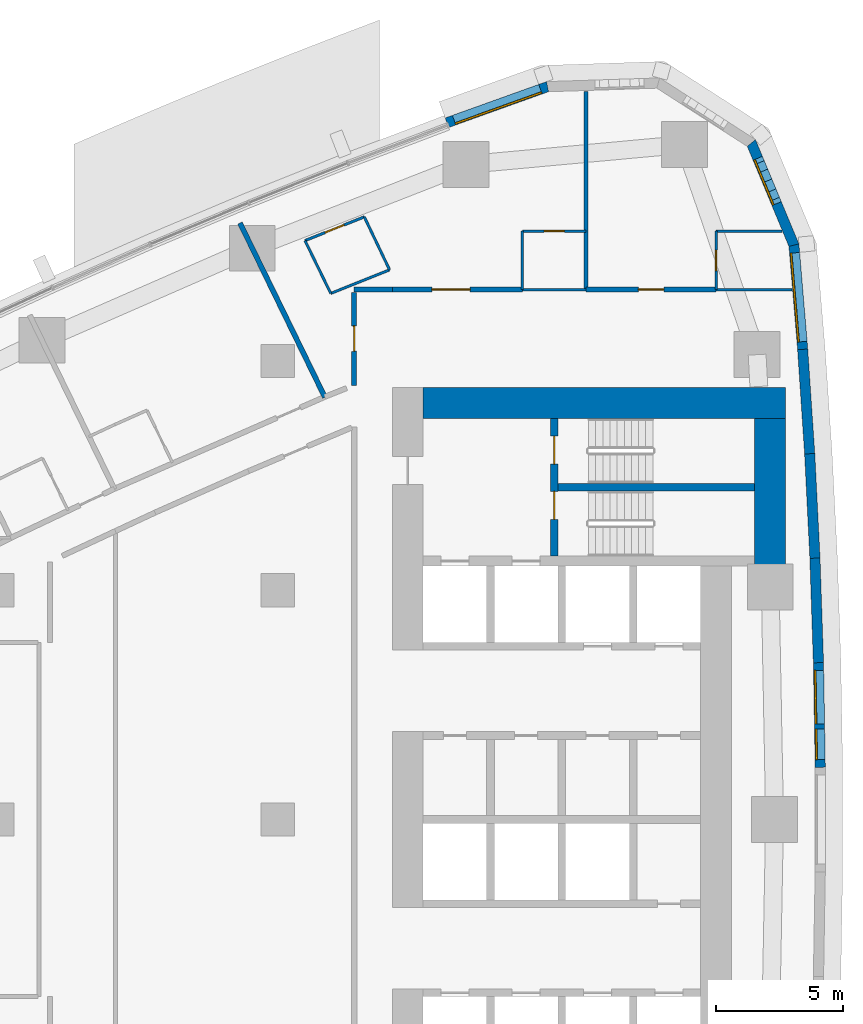
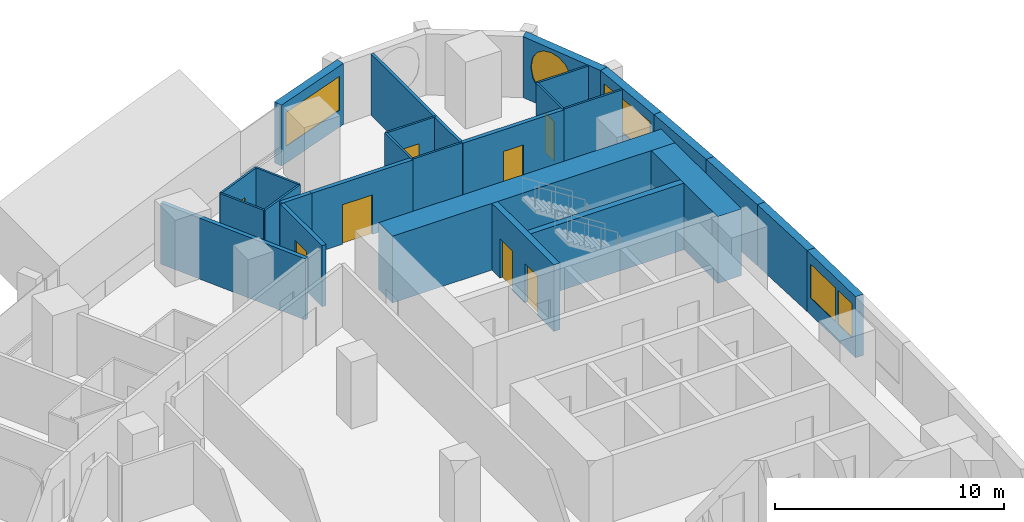
# One storey, part 13 of 19: 27 walls, 8 doors, 5 windows, 13 openings.
"""IFC4 building model written with IfcOpenShell, lengths in metres."""

from ifc_helpers import new_model, si_unit, direction, frame, frame_2d, origin, place, context, subcontext, project, spatial, polyline, rectangle, outline, extrude, material, layer, layer_set, type_object, element, fill, save


model = new_model("IFC4")

# Units and contexts
model_context = context("Model", 3, precision=1e-05, world=origin(), true_north=direction((0.0, 1.0)))
body_context = subcontext(model_context, "Body", "Model", "MODEL_VIEW")
ifc_project = project(units=[si_unit("LENGTHUNIT", "METRE"), si_unit("AREAUNIT", "SQUARE_METRE"), si_unit("VOLUMEUNIT", "CUBIC_METRE"), si_unit("PLANEANGLEUNIT", "RADIAN"), si_unit("MASSUNIT", "GRAM", prefix="KILO")], contexts=[model_context])

# Site, building, storey
site_placement = place(None, origin())
site = spatial("IfcSite", under=ifc_project, at=site_placement, CompositionType="ELEMENT")
building_placement = place(site_placement, origin())
building = spatial("IfcBuilding", under=site, at=building_placement, Name="Ostrand Prow Hotel Tower", CompositionType="ELEMENT")
storey_placement = place(building_placement, frame((0.0, 0.0, 43.14990234375)))
storey = spatial("IfcBuildingStorey", under=building, at=storey_placement, Name="L08", CompositionType="ELEMENT", Elevation=43.14990234375)

# Walls
ifc_material_1 = material(Name="Concrete C80/95", Category="concrete")
ifc_layer_1 = layer(ifc_material_1, 1.199951171875)
ifc_layer_set_1 = layer_set([ifc_layer_1], Name="Concrete C80/95")
wall_type_1 = type_object("IfcWallType", Name="Core wall 1200 C80/95", PredefinedType="SHEAR", material=ifc_layer_set_1)
wall_1_placement = place(storey_placement, frame((50.699951171875, 16.35009765625, 0.0), z_axis=(0.0, 0.0, 1.0), x_axis=(1.0, 0.0, 0.0)))
element("IfcWall", 1, at=wall_1_placement, inside=storey, type_object=wall_type_1, Name="Core wall CW-N", PredefinedType="SHEAR", context=body_context, shape_type="SweptSolid", body=[
    extrude(rectangle(XDim=14.219970703125, YDim=1.199951171875, at=frame_2d((7.10986328125, 0.0))), origin(), (0.0, 0.0, 1.0), 3.550048828125),
])
wall_2_placement = place(storey_placement, frame((64.320068359375, 9.949951171875, 0.0), z_axis=(0.0, 0.0, 1.0), x_axis=(0.0, 1.0, 0.0)))
element("IfcWall", 2, at=wall_2_placement, inside=storey, type_object=wall_type_1, Name="Core wall CW-E-N", PredefinedType="SHEAR", context=body_context, shape_type="SweptSolid", body=[
    extrude(rectangle(XDim=5.800048828125, YDim=1.199951171875, at=frame_2d((2.89990234375, 0.0))), origin(), (0.0, 0.0, 1.0), 3.550048828125),
])

# Wall, openings, doors
ifc_material_2 = material(Name="Concrete C80/95", Category="concrete")
ifc_layer_2 = layer(ifc_material_2, 0.300048828125)
ifc_layer_set_2 = layer_set([ifc_layer_2], Name="Concrete C80/95")
wall_type_2 = type_object("IfcWallType", Name="Core wall 300 C80/95", PredefinedType="SHEAR", material=ifc_layer_set_2)
wall_3_placement = place(storey_placement, frame((55.85009765625, 10.35009765625, 0.0), z_axis=(0.0, 0.0, 1.0), x_axis=(0.0, 1.0, 0.0)))
wall_3 = element("IfcWall", 3, at=wall_3_placement, inside=storey, type_object=wall_type_2, Name="Core wall PW-VN", PredefinedType="SHEAR", context=body_context, shape_type="SweptSolid", body=[
    extrude(rectangle(XDim=5.39990234375, YDim=0.300048828125, at=frame_2d((2.699951171875, 0.0))), origin(), (0.0, 0.0, 1.0), 3.550048828125),
])
opening_1_placement = place(wall_3_placement, frame((1.429931640625, 0.0, 0.0)))
opening_1 = element("IfcOpeningElement", 4, at=opening_1_placement, cuts=wall_3, Name="Opening FD1", PredefinedType="OPENING", context=body_context, shape_type="SweptSolid", body=[
    extrude(rectangle(XDim=1.10009765625, YDim=2.10009765625, at=frame_2d((0.550048828125, 1.050048828125))), frame((0.0, 0.159912109375, 0.0), z_axis=(0.0, -1.0, 0.0), x_axis=(1.0, 0.0, 0.0)), (0.0, 0.0, 1.0), 0.320068359375),
])
opening_2_placement = place(wall_3_placement, frame((3.60009765625, 0.0, 0.0)))
opening_2 = element("IfcOpeningElement", 5, at=opening_2_placement, cuts=wall_3, Name="Opening FD1", PredefinedType="OPENING", context=body_context, shape_type="SweptSolid", body=[
    extrude(rectangle(XDim=1.10009765625, YDim=2.10009765625, at=frame_2d((0.550048828125, 1.050048828125))), frame((0.0, 0.159912109375, 0.0), z_axis=(0.0, -1.0, 0.0), x_axis=(1.0, 0.0, 0.0)), (0.0, 0.0, 1.0), 0.320068359375),
])
ifc_material_3 = material(Name="Steel fire door", Category="steel")
door_type_1 = type_object("IfcDoorType", Name="Fire door 1100 EI120", OperationType="SINGLE_SWING_RIGHT", PredefinedType="DOOR", material=ifc_material_3)
door_1_placement = place(opening_1_placement, origin())
door_1 = element("IfcDoor", 6, at=door_1_placement, inside=storey, type_object=door_type_1, Name="FIRE DOOR", OperationType="SINGLE_SWING_RIGHT", OverallHeight=2.10009765625, OverallWidth=1.10009765625, PredefinedType="DOOR", context=body_context, shape_type="SweptSolid", body=[
    extrude(rectangle(XDim=1.10009765625, YDim=2.10009765625, at=frame_2d((0.550048828125, 1.050048828125))), frame((0.0, 0.02490234375, 0.0), z_axis=(0.0, -1.0, 0.0), x_axis=(1.0, 0.0, 0.0)), (0.0, 0.0, 1.0), 0.050048828125),
])
fill(opening_1, door_1)
door_2_placement = place(opening_2_placement, origin())
door_2 = element("IfcDoor", 7, at=door_2_placement, inside=storey, type_object=door_type_1, Name="FIRE DOOR", OperationType="SINGLE_SWING_RIGHT", OverallHeight=2.10009765625, OverallWidth=1.10009765625, PredefinedType="DOOR", context=body_context, shape_type="SweptSolid", body=[
    extrude(rectangle(XDim=1.10009765625, YDim=2.10009765625, at=frame_2d((0.550048828125, 1.050048828125))), frame((0.0, 0.02490234375, 0.0), z_axis=(0.0, -1.0, 0.0), x_axis=(1.0, 0.0, 0.0)), (0.0, 0.0, 1.0), 0.050048828125),
])
fill(opening_2, door_2)

# Walls
wall_4_placement = place(storey_placement, frame((56.0, 13.050048828125, 0.0), z_axis=(0.0, 0.0, 1.0), x_axis=(1.0, 0.0, 0.0)))
element("IfcWall", 8, at=wall_4_placement, inside=storey, type_object=wall_type_2, Name="Core wall PW-ST13", PredefinedType="SHEAR", context=body_context, shape_type="SweptSolid", body=[
    extrude(rectangle(XDim=7.719970703125, YDim=0.300048828125, at=frame_2d((3.85986328125, 0.0))), origin(), (0.0, 0.0, 1.0), 3.550048828125),
])
ifc_material_4 = material(Name="Plasterboard partition")
ifc_layer_3 = layer(ifc_material_4, 0.10009765625)
ifc_layer_set_3 = layer_set([ifc_layer_3], Name="Plasterboard partition")
wall_type_3 = type_object("IfcWallType", Name="Partition 100 bathroom wall", PredefinedType="PARTITIONING", material=ifc_layer_set_3)
wall_5_placement = place(storey_placement, frame((54.601806640625, 20.800048828125, 0.0), z_axis=(0.0, 0.0, 1.0), x_axis=(0.0, 1.0, 0.0)))
element("IfcWall", 9, at=wall_5_placement, inside=storey, type_object=wall_type_3, Name="BATHROOM WALL", PredefinedType="PARTITIONING", context=body_context, shape_type="SweptSolid", body=[
    extrude(rectangle(XDim=2.300048828125, YDim=0.10009765625, at=frame_2d((1.14990234375, 0.0))), origin(), (0.0, 0.0, 1.0), 3.25),
])

# Wall, opening, door
wall_6_placement = place(storey_placement, frame((54.601806640625, 23.10009765625, 0.0), z_axis=(0.0, 0.0, 1.0), x_axis=(1.0, 0.0, 0.0)))
wall_6 = element("IfcWall", 10, at=wall_6_placement, inside=storey, type_object=wall_type_3, Name="BATHROOM WALL", PredefinedType="PARTITIONING", context=body_context, shape_type="SweptSolid", body=[
    extrude(rectangle(XDim=2.5, YDim=0.10009765625, at=frame_2d((1.25, 0.0))), origin(), (0.0, 0.0, 1.0), 3.25),
])
opening_3_placement = place(wall_6_placement, frame((0.85009765625, 0.0, 0.0)))
opening_3 = element("IfcOpeningElement", 11, at=opening_3_placement, cuts=wall_6, Name="Opening D2", PredefinedType="OPENING", context=body_context, shape_type="SweptSolid", body=[
    extrude(rectangle(XDim=0.800048828125, YDim=2.10009765625, at=frame_2d((0.39990234375, 1.050048828125))), frame((0.0, 0.06005859375, 0.0), z_axis=(0.0, -1.0, 0.0), x_axis=(1.0, 0.0, 0.0)), (0.0, 0.0, 1.0), 0.1201171875),
])
ifc_material_5 = material(Name="Timber door leaf", Category="wood")
door_type_2 = type_object("IfcDoorType", Name="Bathroom door 800", OperationType="SINGLE_SWING_LEFT", PredefinedType="DOOR", material=ifc_material_5)
door_3_placement = place(opening_3_placement, origin())
door_3 = element("IfcDoor", 12, at=door_3_placement, inside=storey, type_object=door_type_2, Name="DOOR", OperationType="SINGLE_SWING_LEFT", OverallHeight=2.10009765625, OverallWidth=0.800048828125, PredefinedType="DOOR", context=body_context, shape_type="SweptSolid", body=[
    extrude(rectangle(XDim=0.800048828125, YDim=2.10009765625, at=frame_2d((0.39990234375, 1.050048828125))), frame((0.0, 0.02490234375, 0.0), z_axis=(0.0, -1.0, 0.0), x_axis=(1.0, 0.0, 0.0)), (0.0, 0.0, 1.0), 0.050048828125),
])
fill(opening_3, door_3)

wall_7_placement = place(storey_placement, frame((62.203369140625, 20.800048828125, 0.0), z_axis=(0.0, 0.0, 1.0), x_axis=(0.0, 1.0, 0.0)))
wall_7 = element("IfcWall", 13, at=wall_7_placement, inside=storey, type_object=wall_type_3, Name="BATHROOM WALL", PredefinedType="PARTITIONING", context=body_context, shape_type="SweptSolid", body=[
    extrude(rectangle(XDim=2.300048828125, YDim=0.10009765625, at=frame_2d((1.14990234375, 0.0))), origin(), (0.0, 0.0, 1.0), 3.25),
])
opening_4_placement = place(wall_7_placement, frame((0.75, 0.0, 0.0)))
opening_4 = element("IfcOpeningElement", 14, at=opening_4_placement, cuts=wall_7, Name="Opening D2", PredefinedType="OPENING", context=body_context, shape_type="SweptSolid", body=[
    extrude(rectangle(XDim=0.800048828125, YDim=2.10009765625, at=frame_2d((0.39990234375, 1.050048828125))), frame((0.0, 0.06005859375, 0.0), z_axis=(0.0, -1.0, 0.0), x_axis=(1.0, 0.0, 0.0)), (0.0, 0.0, 1.0), 0.1201171875),
])
door_4_placement = place(opening_4_placement, origin())
door_4 = element("IfcDoor", 15, at=door_4_placement, inside=storey, type_object=door_type_2, Name="DOOR", OperationType="SINGLE_SWING_LEFT", OverallHeight=2.10009765625, OverallWidth=0.800048828125, PredefinedType="DOOR", context=body_context, shape_type="SweptSolid", body=[
    extrude(rectangle(XDim=0.800048828125, YDim=2.10009765625, at=frame_2d((0.39990234375, 1.050048828125))), frame((0.0, 0.02490234375, 0.0), z_axis=(0.0, -1.0, 0.0), x_axis=(1.0, 0.0, 0.0)), (0.0, 0.0, 1.0), 0.050048828125),
])
fill(opening_4, door_4)

# Walls
wall_8_placement = place(storey_placement, frame((62.203369140625, 23.10009765625, 0.0), z_axis=(0.0, 0.0, 1.0), x_axis=(1.0, 0.0, 0.0)))
element("IfcWall", 16, at=wall_8_placement, inside=storey, type_object=wall_type_3, Name="BATHROOM WALL", PredefinedType="PARTITIONING", context=body_context, shape_type="SweptSolid", body=[
    extrude(rectangle(XDim=2.578125, YDim=0.10009765625, at=frame_2d((1.2890625, 0.0))), origin(), (0.0, 0.0, 1.0), 3.25),
])
wall_9_placement = place(storey_placement, frame((49.387939453125, 21.5771484375, 0.0), z_axis=(0.0, 0.0, 1.0), x_axis=(-0.928266690687, -0.371915247014, 0.0)))
element("IfcWall", 17, at=wall_9_placement, inside=storey, type_object=wall_type_3, Name="BATHROOM WALL", PredefinedType="PARTITIONING", context=body_context, shape_type="SweptSolid", body=[
    extrude(rectangle(XDim=2.4873046875, YDim=0.10009765625, at=frame_2d((1.24365234375, 0.0))), origin(), (0.0, 0.0, 1.0), 3.25),
])
wall_10_placement = place(storey_placement, frame((47.0791015625, 20.652099609375, 0.0), z_axis=(0.0, 0.0, 1.0), x_axis=(-0.438171240168, 0.898891519756, 0.0)))
element("IfcWall", 18, at=wall_10_placement, inside=storey, type_object=wall_type_3, Name="BATHROOM WALL", PredefinedType="PARTITIONING", context=body_context, shape_type="SweptSolid", body=[
    extrude(rectangle(XDim=2.30615234375, YDim=0.10009765625, at=frame_2d((1.153076171875, 0.0))), origin(), (0.0, 0.0, 1.0), 3.25),
])

# Wall, opening, door
wall_11_placement = place(storey_placement, frame((46.068603515625, 22.72509765625, 0.0), z_axis=(0.0, 0.0, 1.0), x_axis=(0.928288495333, 0.371860819975, 0.0)))
wall_11 = element("IfcWall", 19, at=wall_11_placement, inside=storey, type_object=wall_type_3, Name="BATHROOM WALL", PredefinedType="PARTITIONING", context=body_context, shape_type="SweptSolid", body=[
    extrude(rectangle(XDim=2.506591796875, YDim=0.10009765625, at=frame_2d((1.25341796875, 0.0))), origin(), (0.0, 0.0, 1.0), 3.25),
])
opening_5_placement = place(wall_11_placement, frame((0.85009765625, 0.0, 0.0)))
opening_5 = element("IfcOpeningElement", 20, at=opening_5_placement, cuts=wall_11, Name="Opening D2", PredefinedType="OPENING", context=body_context, shape_type="SweptSolid", body=[
    extrude(rectangle(XDim=0.800048828125, YDim=2.10009765625, at=frame_2d((0.39990234375, 1.050048828125))), frame((0.0, 0.06005859375, 0.0), z_axis=(0.0, -1.0, 0.0), x_axis=(1.0, 0.0, 0.0)), (0.0, 0.0, 1.0), 0.1201171875),
])
door_5_placement = place(opening_5_placement, origin())
door_5 = element("IfcDoor", 21, at=door_5_placement, inside=storey, type_object=door_type_2, Name="DOOR", OperationType="SINGLE_SWING_LEFT", OverallHeight=2.10009765625, OverallWidth=0.800048828125, PredefinedType="DOOR", context=body_context, shape_type="SweptSolid", body=[
    extrude(rectangle(XDim=0.800048828125, YDim=2.10009765625, at=frame_2d((0.39990234375, 1.050048828125))), frame((0.0, 0.02490234375, 0.0), z_axis=(0.0, -1.0, 0.0), x_axis=(1.0, 0.0, 0.0)), (0.0, 0.0, 1.0), 0.050048828125),
])
fill(opening_5, door_5)

# Walls
wall_12_placement = place(storey_placement, frame((57.101806640625, 20.804931640625, 0.0), z_axis=(0.0, 0.0, 1.0), x_axis=(-1.0, 0.0, 0.0)))
element("IfcWall", 22, at=wall_12_placement, inside=storey, type_object=wall_type_3, Name="BATHROOM WALL", PredefinedType="PARTITIONING", context=body_context, shape_type="SweptSolid", body=[
    extrude(rectangle(XDim=2.5, YDim=0.10009765625, at=frame_2d((1.25, 0.0))), origin(), (0.0, 0.0, 1.0), 3.25),
])
wall_13_placement = place(storey_placement, frame((65.174560546875, 20.804931640625, 0.0), z_axis=(0.0, 0.0, 1.0), x_axis=(-1.0, 0.0, 0.0)))
element("IfcWall", 23, at=wall_13_placement, inside=storey, type_object=wall_type_3, Name="BATHROOM WALL", PredefinedType="PARTITIONING", context=body_context, shape_type="SweptSolid", body=[
    extrude(rectangle(XDim=2.97119140625, YDim=0.10009765625, at=frame_2d((1.485595703125, 0.0))), origin(), (0.0, 0.0, 1.0), 3.25),
])
wall_14_placement = place(storey_placement, frame((48.3955078125, 23.6572265625, 0.0), z_axis=(0.0, 0.0, 1.0), x_axis=(0.4306119303, -0.902537182327, 0.0)))
element("IfcWall", 24, at=wall_14_placement, inside=storey, type_object=wall_type_3, Name="BATHROOM WALL", PredefinedType="PARTITIONING", context=body_context, shape_type="SweptSolid", body=[
    extrude(rectangle(XDim=2.3046875, YDim=0.10009765625, at=frame_2d((1.15234375, 0.0))), origin(), (0.0, 0.0, 1.0), 3.25),
])
ifc_material_6 = material(Name="Plasterboard partition")
ifc_layer_4 = layer(ifc_material_6, 0.14990234375)
ifc_layer_set_4 = layer_set([ifc_layer_4], Name="Plasterboard partition")
wall_type_4 = type_object("IfcWallType", Name="Partition 150 room partition", PredefinedType="PARTITIONING", material=ifc_layer_set_4)
wall_15_placement = place(storey_placement, frame((57.101806640625, 20.800048828125, 0.0), z_axis=(0.0, 0.0, 1.0), x_axis=(0.0, 1.0, 0.0)))
element("IfcWall", 25, at=wall_15_placement, inside=storey, type_object=wall_type_4, Name="ROOM PARTITION", PredefinedType="PARTITIONING", context=body_context, shape_type="SweptSolid", body=[
    extrude(rectangle(XDim=7.786865234375, YDim=0.14990234375, at=frame_2d((3.8935546875, 0.0))), origin(), (0.0, 0.0, 1.0), 3.25),
])

# Wall, opening, door
ifc_material_7 = material(Name="Plasterboard partition")
ifc_layer_5 = layer(ifc_material_7, 0.199951171875)
ifc_layer_set_5 = layer_set([ifc_layer_5], Name="Plasterboard partition")
wall_type_5 = type_object("IfcWallType", Name="Partition 200 corridor wall", PredefinedType="PARTITIONING", material=ifc_layer_set_5)
wall_16_placement = place(storey_placement, frame((54.5966796875, 20.804931640625, 0.0), z_axis=(0.0, 0.0, 1.0), x_axis=(-1.0, 0.0, 0.0)))
wall_16 = element("IfcWall", 26, at=wall_16_placement, inside=storey, type_object=wall_type_5, Name="CORRIDOR WALL", PredefinedType="PARTITIONING", context=body_context, shape_type="SweptSolid", body=[
    extrude(rectangle(XDim=5.0966796875, YDim=0.199951171875, at=frame_2d((2.54833984375, 0.0))), origin(), (0.0, 0.0, 1.0), 3.25),
])
opening_6_placement = place(wall_16_placement, frame((2.04833984375, 0.0, 0.0)))
opening_6 = element("IfcOpeningElement", 27, at=opening_6_placement, cuts=wall_16, Name="Opening D15", PredefinedType="OPENING", context=body_context, shape_type="SweptSolid", body=[
    extrude(rectangle(XDim=1.5, YDim=2.10009765625, at=frame_2d((0.75, 1.050048828125))), frame((0.0, 0.10986328125, 0.0), z_axis=(0.0, -1.0, 0.0), x_axis=(1.0, 0.0, 0.0)), (0.0, 0.0, 1.0), 0.219970703125),
])
ifc_material_8 = material(Name="Timber door leaf", Category="wood")
door_type_3 = type_object("IfcDoorType", Name="Double door 1500", OperationType="DOUBLE_DOOR_SINGLE_SWING", PredefinedType="DOOR", material=ifc_material_8)
door_6_placement = place(opening_6_placement, origin())
door_6 = element("IfcDoor", 28, at=door_6_placement, inside=storey, type_object=door_type_3, Name="DOOR", OperationType="DOUBLE_DOOR_SINGLE_SWING", OverallHeight=2.10009765625, OverallWidth=1.5, PredefinedType="DOOR", context=body_context, shape_type="SweptSolid", body=[
    extrude(rectangle(XDim=1.5, YDim=2.10009765625, at=frame_2d((0.75, 1.050048828125))), frame((0.0, 0.02490234375, 0.0), z_axis=(0.0, -1.0, 0.0), x_axis=(1.0, 0.0, 0.0)), (0.0, 0.0, 1.0), 0.050048828125),
])
fill(opening_6, door_6)

wall_17_placement = place(storey_placement, frame((62.1982421875, 20.804931640625, 0.0), z_axis=(0.0, 0.0, 1.0), x_axis=(-1.0, 0.0, 0.0)))
wall_17 = element("IfcWall", 29, at=wall_17_placement, inside=storey, type_object=wall_type_5, Name="CORRIDOR WALL", PredefinedType="PARTITIONING", context=body_context, shape_type="SweptSolid", body=[
    extrude(rectangle(XDim=5.091552734375, YDim=0.199951171875, at=frame_2d((2.5458984375, 0.0))), origin(), (0.0, 0.0, 1.0), 3.25),
])
opening_7_placement = place(wall_17_placement, frame((2.0458984375, 0.0, 0.0)))
opening_7 = element("IfcOpeningElement", 30, at=opening_7_placement, cuts=wall_17, Name="Opening D1", PredefinedType="OPENING", context=body_context, shape_type="SweptSolid", body=[
    extrude(rectangle(XDim=1.0, YDim=2.10009765625, at=frame_2d((0.5, 1.050048828125))), frame((0.0, 0.10986328125, 0.0), z_axis=(0.0, -1.0, 0.0), x_axis=(1.0, 0.0, 0.0)), (0.0, 0.0, 1.0), 0.219970703125),
])
ifc_material_9 = material(Name="Timber door leaf", Category="wood")
door_type_4 = type_object("IfcDoorType", Name="Guest room door 1000", OperationType="SINGLE_SWING_LEFT", PredefinedType="DOOR", material=ifc_material_9)
door_7_placement = place(opening_7_placement, origin())
door_7 = element("IfcDoor", 31, at=door_7_placement, inside=storey, type_object=door_type_4, Name="DOOR", OperationType="SINGLE_SWING_LEFT", OverallHeight=2.10009765625, OverallWidth=1.0, PredefinedType="DOOR", context=body_context, shape_type="SweptSolid", body=[
    extrude(rectangle(XDim=1.0, YDim=2.10009765625, at=frame_2d((0.5, 1.050048828125))), frame((0.0, 0.02490234375, 0.0), z_axis=(0.0, -1.0, 0.0), x_axis=(1.0, 0.0, 0.0)), (0.0, 0.0, 1.0), 0.050048828125),
])
fill(opening_7, door_7)

# Wall
wall_18_placement = place(storey_placement, frame((49.5, 20.804931640625, 0.0), z_axis=(0.0, 0.0, 1.0), x_axis=(-0.999998683182, -0.001622847587, 0.0)))
element("IfcWall", 32, at=wall_18_placement, inside=storey, type_object=wall_type_5, Name="CORRIDOR WALL", PredefinedType="PARTITIONING", context=body_context, shape_type="SweptSolid", body=[
    extrude(rectangle(XDim=1.50439453125, YDim=0.199951171875, at=frame_2d((0.752197265625, 0.0))), origin(), (0.0, 0.0, 1.0), 3.25),
])

# Wall, opening, door
wall_19_placement = place(storey_placement, frame((47.99560546875, 20.682373046875, 0.0), z_axis=(0.0, 0.0, 1.0), x_axis=(0.000869739418, -0.999999621777, 0.0)))
wall_19 = element("IfcWall", 33, at=wall_19_placement, inside=storey, type_object=wall_type_5, Name="CORRIDOR WALL", PredefinedType="PARTITIONING", context=body_context, shape_type="SweptSolid", body=[
    extrude(rectangle(XDim=3.649169921875, YDim=0.199951171875, at=frame_2d((1.82470703125, 0.0))), origin(), (0.0, 0.0, 1.0), 3.25),
])
opening_8_placement = place(wall_19_placement, frame((1.300048828125, 0.0, 0.0)))
opening_8 = element("IfcOpeningElement", 34, at=opening_8_placement, cuts=wall_19, Name="Opening D1R", PredefinedType="OPENING", context=body_context, shape_type="SweptSolid", body=[
    extrude(rectangle(XDim=1.0, YDim=2.10009765625, at=frame_2d((0.5, 1.050048828125))), frame((0.0, 0.10986328125, 0.0), z_axis=(0.0, -1.0, 0.0), x_axis=(1.0, 0.0, 0.0)), (0.0, 0.0, 1.0), 0.219970703125),
])
ifc_material_10 = material(Name="Timber door leaf", Category="wood")
door_type_5 = type_object("IfcDoorType", Name="Guest room door 1000 right", OperationType="SINGLE_SWING_RIGHT", PredefinedType="DOOR", material=ifc_material_10)
door_8_placement = place(opening_8_placement, origin())
door_8 = element("IfcDoor", 35, at=door_8_placement, inside=storey, type_object=door_type_5, Name="DOOR", OperationType="SINGLE_SWING_RIGHT", OverallHeight=2.10009765625, OverallWidth=1.0, PredefinedType="DOOR", context=body_context, shape_type="SweptSolid", body=[
    extrude(rectangle(XDim=1.0, YDim=2.10009765625, at=frame_2d((0.5, 1.050048828125))), frame((0.0, 0.02490234375, 0.0), z_axis=(0.0, -1.0, 0.0), x_axis=(1.0, 0.0, 0.0)), (0.0, 0.0, 1.0), 0.050048828125),
])
fill(opening_8, door_8)

# Wall
ifc_material_11 = material(Name="Plasterboard partition")
ifc_layer_6 = layer(ifc_material_11, 0.199951171875)
ifc_layer_set_6 = layer_set([ifc_layer_6], Name="Plasterboard partition")
wall_type_6 = type_object("IfcWallType", Name="Partition 200 key partition", PredefinedType="PARTITIONING", material=ifc_layer_set_6)
wall_20_placement = place(storey_placement, frame((46.85205078125, 16.57275390625, 0.0), z_axis=(0.0, 0.0, 1.0), x_axis=(-0.438196739796, 0.898879089328, 0.0)))
element("IfcWall", 36, at=wall_20_placement, inside=storey, type_object=wall_type_6, Name="KEY PARTITION", PredefinedType="PARTITIONING", context=body_context, shape_type="SweptSolid", body=[
    extrude(rectangle(XDim=7.611083984375, YDim=0.199951171875, at=frame_2d((3.8056640625, 0.0))), origin(), (0.0, 0.0, 1.0), 3.25),
])

# Wall, openings, windows
ifc_material_12 = material(Name="Precast concrete C40/50", Category="concrete")
ifc_layer_7 = layer(ifc_material_12, 0.39990234375)
ifc_layer_set_7 = layer_set([ifc_layer_7], Name="Precast concrete C40/50")
wall_type_7 = type_object("IfcWallType", Name="Stone-faced precast wall 400 mm", PredefinedType="NOTDEFINED", material=ifc_layer_set_7)
wall_21_placement = place(storey_placement, frame((66.29150390625, 2.052490234375, 0.0), z_axis=(0.0, 0.0, 1.0), x_axis=(-0.016830829972, 0.999858351549, 0.0)))
wall_21 = element("IfcWall", 37, at=wall_21_placement, inside=storey, type_object=wall_type_7, Name="Stone-faced wall back 11", PredefinedType="NOTDEFINED", context=body_context, shape_type="SweptSolid", body=[
    extrude(outline(polyline([(-0.001708984375, -0.199951171875), (4.106689453125, -0.199951171875), (4.103271484375, 0.199951171875), (0.001708984375, 0.199951171875), (-0.001708984375, -0.199951171875)])), origin(), (0.0, 0.0, 1.0), 3.25),
])
opening_9_placement = place(wall_21_placement, frame((0.302490234375, 0.0, 0.89990234375)))
opening_9 = element("IfcOpeningElement", 38, at=opening_9_placement, cuts=wall_21, Name="Opening WS4", PredefinedType="OPENING", context=body_context, shape_type="SweptSolid", body=[
    extrude(rectangle(XDim=1.199951171875, YDim=1.800048828125, at=frame_2d((0.60009765625, 0.89990234375))), frame((0.0, 0.2099609375, 0.0), z_axis=(0.0, -1.0, 0.0), x_axis=(1.0, 0.0, 0.0)), (0.0, 0.0, 1.0), 0.419921875),
])
opening_10_placement = place(wall_21_placement, frame((1.702392578125, 0.0, 0.89990234375)))
opening_10 = element("IfcOpeningElement", 39, at=opening_10_placement, cuts=wall_21, Name="Opening WS5-21", PredefinedType="OPENING", context=body_context, shape_type="SweptSolid", body=[
    extrude(rectangle(XDim=2.10009765625, YDim=1.800048828125, at=frame_2d((1.050048828125, 0.89990234375))), frame((0.0, 0.2099609375, 0.0), z_axis=(0.0, -1.0, 0.0), x_axis=(1.0, 0.0, 0.0)), (0.0, 0.0, 1.0), 0.419921875),
])
ifc_material_13 = material(Name="Insulated glass in bronze frame", Category="glass")
window_type_1 = type_object("IfcWindowType", Name="Fixed strip window 2100x1800", PartitioningType="SINGLE_PANEL", PredefinedType="WINDOW", material=ifc_material_13)
window_1_placement = place(opening_10_placement, origin())
window_1 = element("IfcWindow", 40, at=window_1_placement, inside=storey, type_object=window_type_1, Name="Window back 11.2", OverallHeight=1.800048828125, OverallWidth=2.10009765625, PartitioningType="SINGLE_PANEL", PredefinedType="WINDOW", context=body_context, shape_type="SweptSolid", body=[
    extrude(rectangle(XDim=2.10009765625, YDim=1.800048828125, at=frame_2d((1.050048828125, 0.89990234375))), frame((0.0, 0.169921875, 0.0), z_axis=(0.0, -1.0, 0.0), x_axis=(1.0, 0.0, 0.0)), (0.0, 0.0, 1.0), 0.06005859375),
])
fill(opening_10, window_1)
ifc_material_14 = material(Name="Insulated glass in bronze frame", Category="glass")
window_type_2 = type_object("IfcWindowType", Name="Operable strip panel 1200x1800", PartitioningType="SINGLE_PANEL", PredefinedType="WINDOW", material=ifc_material_14)
window_2_placement = place(opening_9_placement, origin())
window_2 = element("IfcWindow", 41, at=window_2_placement, inside=storey, type_object=window_type_2, Name="Window back 11.1", OverallHeight=1.800048828125, OverallWidth=1.199951171875, PartitioningType="SINGLE_PANEL", PredefinedType="WINDOW", context=body_context, shape_type="SweptSolid", body=[
    extrude(rectangle(XDim=1.199951171875, YDim=1.800048828125, at=frame_2d((0.60009765625, 0.89990234375))), frame((0.0, 0.169921875, 0.0), z_axis=(0.0, -1.0, 0.0), x_axis=(1.0, 0.0, 0.0)), (0.0, 0.0, 1.0), 0.06005859375),
])
fill(opening_9, window_2)

# Walls
for number, where, z_axis, x_axis, name in (
    (42, (66.222412109375, 6.156982421875, 0.0), (0.0, 0.0, 1.0), (-0.033542554696, 0.999437290191, 0.0), "Stone-faced wall back 12"),
    (43, (66.084716796875, 10.259765625, 0.0), (0.0, 0.0, 1.0), (-0.050314326423, 0.998733432181, 0.0), "Stone-faced wall back 13"),
    (44, (65.878173828125, 14.359619140625, 0.0), (0.0, 0.0, 1.0), (-0.067087430225, 0.997747100575, 0.0), "Stone-faced wall back 14"),
):
    element("IfcWall", number, at=place(storey_placement, frame(where, z_axis=z_axis, x_axis=x_axis)), inside=storey, type_object=wall_type_7, Name=name, PredefinedType="NOTDEFINED", context=body_context, shape_type="SweptSolid", body=[
        extrude(outline(polyline([(-0.001708984375, -0.199951171875), (4.106689453125, -0.199951171875), (4.103271484375, 0.199951171875), (0.001708984375, 0.199951171875), (-0.001708984375, -0.199951171875)])), origin(), (0.0, 0.0, 1.0), 3.25),
    ])

# Wall, opening, window
wall_22_placement = place(storey_placement, frame((65.602783203125, 18.455322265625, 0.0), z_axis=(0.0, 0.0, 1.0), x_axis=(-0.083793550906, 0.996483136248, 0.0)))
wall_22 = element("IfcWall", 45, at=wall_22_placement, inside=storey, type_object=wall_type_7, Name="Stone-faced wall back 15", PredefinedType="NOTDEFINED", context=body_context, shape_type="SweptSolid", body=[
    extrude(outline(polyline([(-0.001708984375, -0.199951171875), (4.136474609375, -0.199951171875), (4.073974609375, 0.199951171875), (0.001708984375, 0.199951171875), (-0.001708984375, -0.199951171875)])), origin(), (0.0, 0.0, 1.0), 3.25),
])
opening_11_placement = place(wall_22_placement, frame((0.302490234375, 0.0, 0.89990234375)))
opening_11 = element("IfcOpeningElement", 46, at=opening_11_placement, cuts=wall_22, Name="Opening WS3-35", PredefinedType="OPENING", context=body_context, shape_type="SweptSolid", body=[
    extrude(rectangle(XDim=3.5, YDim=1.800048828125, at=frame_2d((1.75, 0.89990234375))), frame((0.0, 0.2099609375, 0.0), z_axis=(0.0, -1.0, 0.0), x_axis=(1.0, 0.0, 0.0)), (0.0, 0.0, 1.0), 0.419921875),
])
ifc_material_15 = material(Name="Insulated glass in bronze frame", Category="glass")
window_type_3 = type_object("IfcWindowType", Name="Strip window 3500x1800", PartitioningType="SINGLE_PANEL", PredefinedType="WINDOW", material=ifc_material_15)
window_3_placement = place(opening_11_placement, origin())
window_3 = element("IfcWindow", 47, at=window_3_placement, inside=storey, type_object=window_type_3, Name="Window back 15.1", OverallHeight=1.800048828125, OverallWidth=3.5, PartitioningType="SINGLE_PANEL", PredefinedType="WINDOW", context=body_context, shape_type="SweptSolid", body=[
    extrude(rectangle(XDim=3.5, YDim=1.800048828125, at=frame_2d((1.75, 0.89990234375))), frame((0.0, 0.169921875, 0.0), z_axis=(0.0, -1.0, 0.0), x_axis=(1.0, 0.0, 0.0)), (0.0, 0.0, 1.0), 0.06005859375),
])
fill(opening_11, window_3)

wall_23_placement = place(storey_placement, frame((65.2587890625, 22.546142578125, 0.0), z_axis=(0.0, 0.0, 1.0), x_axis=(-0.384372042685, 0.923178277908, 0.0)))
wall_23 = element("IfcWall", 48, at=wall_23_placement, inside=storey, type_object=wall_type_7, Name="Stone-faced wall back 16", PredefinedType="NOTDEFINED", context=body_context, shape_type="SweptSolid", body=[
    extrude(outline(polyline([(-0.03125, -0.199951171875), (4.408203125, -0.199951171875), (4.283203125, 0.199951171875), (0.03125, 0.199951171875), (-0.03125, -0.199951171875)])), origin(), (0.0, 0.0, 1.0), 3.25),
])
opening_12_placement = place(wall_23_placement, frame((1.630615234375, 0.0, 0.60009765625)))
opening_12 = element("IfcOpeningElement", 49, at=opening_12_placement, cuts=wall_23, Name="Opening WP1", PredefinedType="OPENING", context=body_context, shape_type="SweptSolid", body=[
    extrude(outline(polyline([(0.0, 1.35009765625), (0.083740234375, 1.77099609375), (0.322265625, 2.127685546875), (0.678955078125, 2.3662109375), (1.10009765625, 2.449951171875), (1.52099609375, 2.3662109375), (1.877685546875, 2.127685546875), (2.1162109375, 1.77099609375), (2.199951171875, 1.35009765625), (2.199951171875, 1.10009765625), (2.1162109375, 0.678955078125), (1.877685546875, 0.322265625), (1.52099609375, 0.083740234375), (1.10009765625, 0.0), (0.678955078125, 0.083740234375), (0.322265625, 0.322265625), (0.083740234375, 0.678955078125), (0.0, 1.099853515625), (0.0, 1.35009765625)])), frame((0.0, 0.2099609375, 0.0), z_axis=(0.0, -1.0, 0.0), x_axis=(1.0, 0.0, 0.0)), (0.0, 0.0, 1.0), 0.419921875),
])
ifc_material_16 = material(Name="Insulated glass in bronze frame", Category="glass")
window_type_4 = type_object("IfcWindowType", Name="Round-ended prow window 2200x2450", PartitioningType="SINGLE_PANEL", PredefinedType="WINDOW", material=ifc_material_16)
window_4_placement = place(opening_12_placement, origin())
window_4 = element("IfcWindow", 50, at=window_4_placement, inside=storey, type_object=window_type_4, Name="Window back 16.1", OverallHeight=2.449951171875, OverallWidth=2.199951171875, PartitioningType="SINGLE_PANEL", PredefinedType="WINDOW", context=body_context, shape_type="SweptSolid", body=[
    extrude(outline(polyline([(0.0, 1.35009765625), (0.083740234375, 1.77099609375), (0.322265625, 2.127685546875), (0.678955078125, 2.3662109375), (1.10009765625, 2.449951171875), (1.52099609375, 2.3662109375), (1.877685546875, 2.127685546875), (2.1162109375, 1.77099609375), (2.199951171875, 1.35009765625), (2.199951171875, 1.10009765625), (2.1162109375, 0.678955078125), (1.877685546875, 0.322265625), (1.52099609375, 0.083740234375), (1.10009765625, 0.0), (0.678955078125, 0.083740234375), (0.322265625, 0.322265625), (0.083740234375, 0.678955078125), (0.0, 1.099853515625), (0.0, 1.35009765625)])), frame((0.0, 0.169921875, 0.0), z_axis=(0.0, -1.0, 0.0), x_axis=(1.0, 0.0, 0.0)), (0.0, 0.0, 1.0), 0.06005859375),
])
fill(opening_12, window_4)

wall_24_placement = place(storey_placement, frame((55.58984375, 28.767578125, 0.0), z_axis=(0.0, 0.0, 1.0), x_axis=(-0.941339752885, -0.337460323057, 0.0)))
wall_24 = element("IfcWall", 51, at=wall_24_placement, inside=storey, type_object=wall_type_7, Name="Stone-faced wall back 19", PredefinedType="NOTDEFINED", context=body_context, shape_type="SweptSolid", body=[
    extrude(outline(polyline([(-0.031494140625, -0.199951171875), (4.196044921875, -0.199951171875), (4.196044921875, 0.199951171875), (0.031494140625, 0.199951171875), (-0.031494140625, -0.199951171875)])), origin(), (0.0, 0.0, 1.0), 3.25),
])
opening_13_placement = place(wall_24_placement, frame((0.298095703125, 0.0, 0.89990234375)))
opening_13 = element("IfcOpeningElement", 52, at=opening_13_placement, cuts=wall_24, Name="Opening WS3-36", PredefinedType="OPENING", context=body_context, shape_type="SweptSolid", body=[
    extrude(rectangle(XDim=3.60009765625, YDim=1.800048828125, at=frame_2d((1.800048828125, 0.89990234375))), frame((0.0, 0.2099609375, 0.0), z_axis=(0.0, -1.0, 0.0), x_axis=(1.0, 0.0, 0.0)), (0.0, 0.0, 1.0), 0.419921875),
])
ifc_material_17 = material(Name="Insulated glass in bronze frame", Category="glass")
window_type_5 = type_object("IfcWindowType", Name="Strip window 3600x1800", PartitioningType="SINGLE_PANEL", PredefinedType="WINDOW", material=ifc_material_17)
window_5_placement = place(opening_13_placement, origin())
window_5 = element("IfcWindow", 53, at=window_5_placement, inside=storey, type_object=window_type_5, Name="Window back 19.1", OverallHeight=1.800048828125, OverallWidth=3.60009765625, PartitioningType="SINGLE_PANEL", PredefinedType="WINDOW", context=body_context, shape_type="SweptSolid", body=[
    extrude(rectangle(XDim=3.60009765625, YDim=1.800048828125, at=frame_2d((1.800048828125, 0.89990234375))), frame((0.0, 0.169921875, 0.0), z_axis=(0.0, -1.0, 0.0), x_axis=(1.0, 0.0, 0.0)), (0.0, 0.0, 1.0), 0.06005859375),
])
fill(opening_13, window_5)

save(model, "model.ifc")
